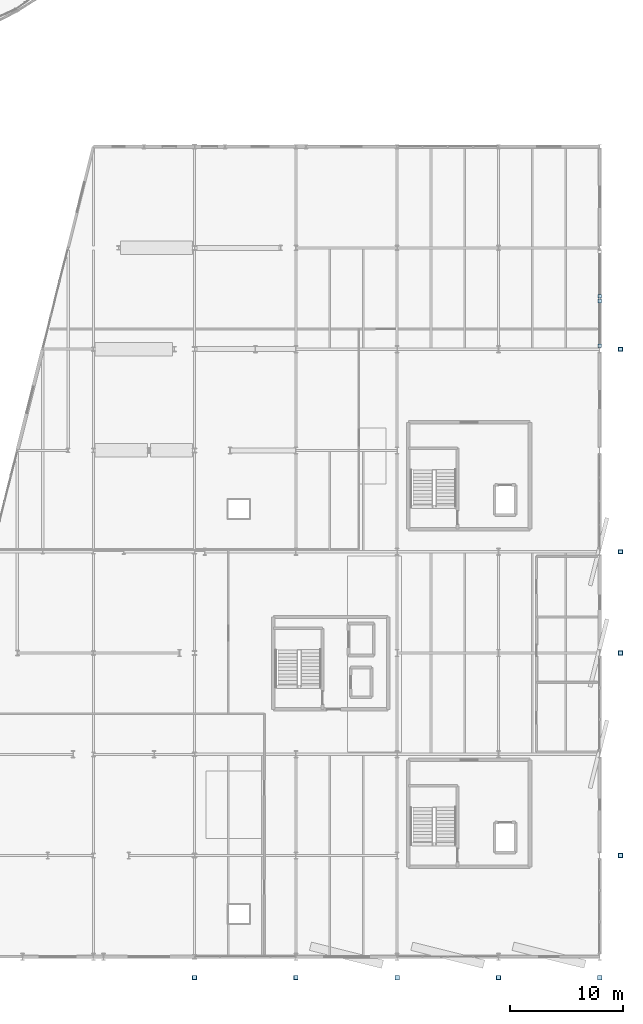
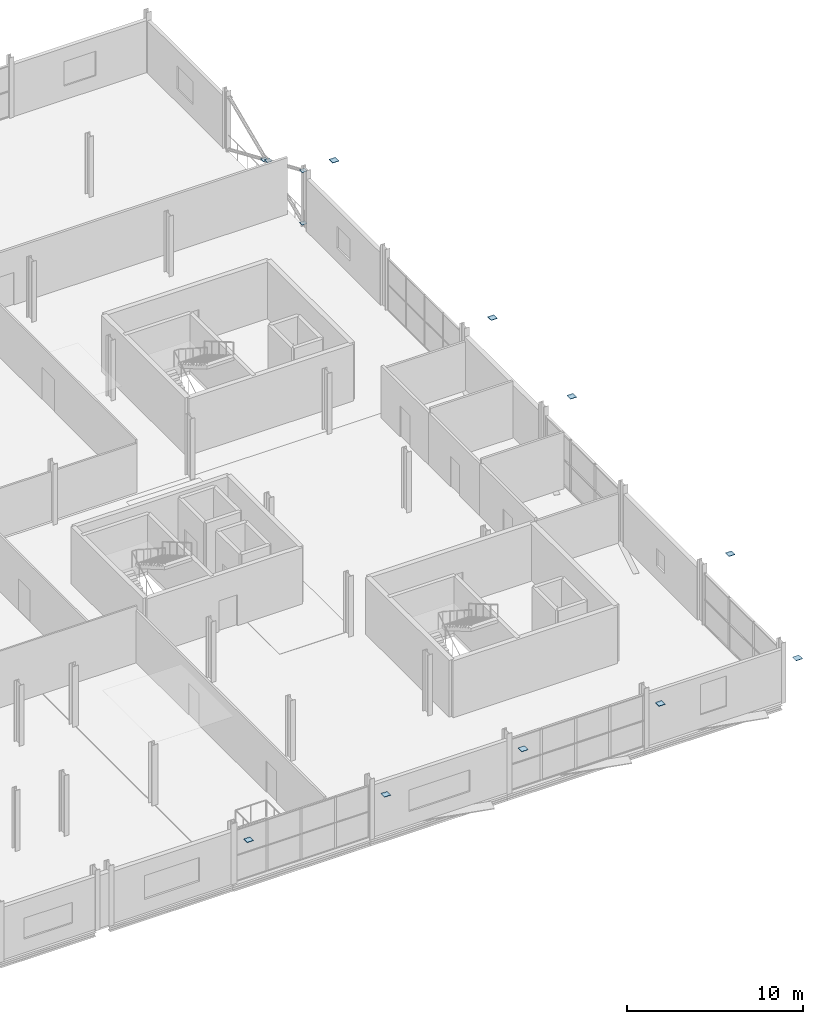
# One storey, part 109 of 132: 20 plates.
"""IFC4 building model written with IfcOpenShell, lengths in metres."""

from ifc_helpers import new_model, si_unit, direction, frame, origin, origin_2d, place, context, subcontext, project, spatial, rectangle, extrude, material, layer, layer_set, type_object, element, save


model = new_model("IFC4")

# Units and contexts
model_context = context("Model", 3, precision=1e-05, world=origin(), true_north=direction((0.0, 1.0)))
body_context = subcontext(model_context, "Body", "Model", "MODEL_VIEW")
ifc_project = project(units=[si_unit("LENGTHUNIT", "METRE"), si_unit("AREAUNIT", "SQUARE_METRE"), si_unit("VOLUMEUNIT", "CUBIC_METRE"), si_unit("PLANEANGLEUNIT", "RADIAN"), si_unit("MASSUNIT", "GRAM", prefix="KILO")], contexts=[model_context])

# Site, building, storey
site_placement = place(None, origin())
site = spatial("IfcSite", under=ifc_project, at=site_placement, CompositionType="ELEMENT")
building_placement = place(site_placement, origin())
building = spatial("IfcBuilding", under=site, at=building_placement, Name="Deido Ridge Mobility Hub", CompositionType="ELEMENT")
storey_placement = place(building_placement, frame((0.0, 0.0, 8.39990234375)))
storey = spatial("IfcBuildingStorey", under=building, at=storey_placement, Name="L02", CompositionType="ELEMENT", Elevation=8.39990234375)

# Plates
ifc_material = material(Name="Steel S355J2 EN 10025-2", Category="steel")
ifc_layer_1 = layer(ifc_material, 0.02197265625, Name="Steel S355J2 EN 10025-2")
ifc_layer_set_1 = layer_set([ifc_layer_1], Name="Steel S355J2 EN 10025-2")
plate_type_1 = type_object("IfcPlateType", Name="PLT-CAP-22", PredefinedType="USERDEFINED", material=ifc_layer_set_1)
for number, where, z_axis, x_axis, name in (
    (1, (180.0, 54.300048828125, 0.169189453125), (0.0, 0.0, 1.0), (1.0, 0.0, 0.0), "Brace sealed end-cap plate EC2 15"),
    (2, (180.0, 54.300048828125, 3.80908203125), (0.0, 0.0, 1.0), (1.0, 0.0, 0.0), "Brace sealed end-cap plate EC2 18"),
    (3, (180.0, 58.72021484375, 1.893798828125), (0.0, 0.0, 1.0), (1.0, 0.0, 0.0), "Brace sealed end-cap plate EC2 19"),
    (4, (180.0, 58.27978515625, 2.08447265625), (0.0, 0.0, 1.0), (1.0, 0.0, 0.0), "Brace sealed end-cap plate EC2 20"),
):
    element("IfcPlate", number, at=place(storey_placement, frame(where, z_axis=z_axis, x_axis=x_axis)), inside=storey, type_object=plate_type_1, Name=name, ObjectType="END CAP PLATE", PredefinedType="USERDEFINED", context=body_context, shape_type="SweptSolid", body=[
        extrude(rectangle(XDim=0.320068359375, YDim=0.320068359375, at=origin_2d()), origin(), (0.0, 0.0, 1.0), 0.02197265625),
    ])
for number, where, z_axis, x_axis, name in (
    (5, (144.0, -1.85009765625, 4.0390625), (0.0, 0.0, 1.0), (1.0, 0.0, 0.0), "Diagrid node cap plate EC2 148"),
    (6, (153.0, -1.85009765625, 4.0390625), (0.0, 0.0, 1.0), (1.0, 0.0, 0.0), "Diagrid node cap plate EC2 149"),
    (7, (171.0, -1.85009765625, 4.0390625), (0.0, 0.0, 1.0), (1.0, 0.0, 0.0), "Diagrid node cap plate EC2 151"),
    (8, (181.85009765625, 9.0, 4.0390625), (0.0, 0.0, 1.0), (1.0, 0.0, 0.0), "Diagrid node cap plate EC2 154"),
    (9, (181.85009765625, 27.0, 4.0390625), (0.0, 0.0, 1.0), (1.0, 0.0, 0.0), "Diagrid node cap plate EC2 156"),
    (10, (181.85009765625, 36.0, 4.0390625), (0.0, 0.0, 1.0), (1.0, 0.0, 0.0), "Diagrid node cap plate EC2 157"),
    (11, (181.85009765625, 54.0, 4.0390625), (0.0, 0.0, 1.0), (1.0, 0.0, 0.0), "Diagrid node cap plate EC2 159"),
):
    element("IfcPlate", number, at=place(storey_placement, frame(where, z_axis=z_axis, x_axis=x_axis)), inside=storey, type_object=plate_type_1, Name=name, ObjectType="END CAP PLATE", PredefinedType="USERDEFINED", context=body_context, shape_type="SweptSolid", body=[
        extrude(rectangle(XDim=0.340087890625, YDim=0.340087890625, at=origin_2d()), origin(), (0.0, 0.0, 1.0), 0.02197265625),
    ])
ifc_layer_2 = layer(ifc_material, 0.02490234375, Name="Steel S355J2 EN 10025-2")
ifc_layer_set_2 = layer_set([ifc_layer_2], Name="Steel S355J2 EN 10025-2")
plate_type_2 = type_object("IfcPlateType", Name="PLT-CAP-25", PredefinedType="USERDEFINED", material=ifc_layer_set_2)
for number, where, z_axis, x_axis, name in (
    (12, (144.0, -1.85009765625, 4.0576171875), (0.0, 0.0, 1.0), (1.0, 0.0, 0.0), "Exoskeleton node cap plate EC3 129"),
    (13, (153.0, -1.85009765625, 4.0576171875), (0.0, 0.0, 1.0), (1.0, 0.0, 0.0), "Exoskeleton node cap plate EC3 132"),
    (14, (162.0, -1.85009765625, 4.0576171875), (0.0, 0.0, 1.0), (1.0, 0.0, 0.0), "Exoskeleton node cap plate EC3 133"),
    (15, (171.0, -1.85009765625, 4.0576171875), (0.0, 0.0, 1.0), (1.0, 0.0, 0.0), "Exoskeleton node cap plate EC3 136"),
    (16, (180.0, -1.85009765625, 4.0576171875), (0.0, 0.0, 1.0), (1.0, 0.0, 0.0), "Exoskeleton node cap plate EC3 137"),
    (17, (181.85009765625, 9.0, 4.0576171875), (0.0, 0.0, 1.0), (1.0, 0.0, 0.0), "Exoskeleton node cap plate EC3 140"),
    (18, (181.85009765625, 27.0, 4.0576171875), (0.0, 0.0, 1.0), (1.0, 0.0, 0.0), "Exoskeleton node cap plate EC3 141"),
    (19, (181.85009765625, 36.0, 4.0576171875), (0.0, 0.0, 1.0), (1.0, 0.0, 0.0), "Exoskeleton node cap plate EC3 144"),
    (20, (181.85009765625, 54.0, 4.0576171875), (0.0, 0.0, 1.0), (1.0, 0.0, 0.0), "Exoskeleton node cap plate EC3 145"),
):
    element("IfcPlate", number, at=place(storey_placement, frame(where, z_axis=z_axis, x_axis=x_axis)), inside=storey, type_object=plate_type_2, Name=name, ObjectType="END CAP PLATE", PredefinedType="USERDEFINED", context=body_context, shape_type="SweptSolid", body=[
        extrude(rectangle(XDim=0.419921875, YDim=0.419921875, at=origin_2d()), origin(), (0.0, 0.0, 1.0), 0.02490234375),
    ])

save(model, "model.ifc")
